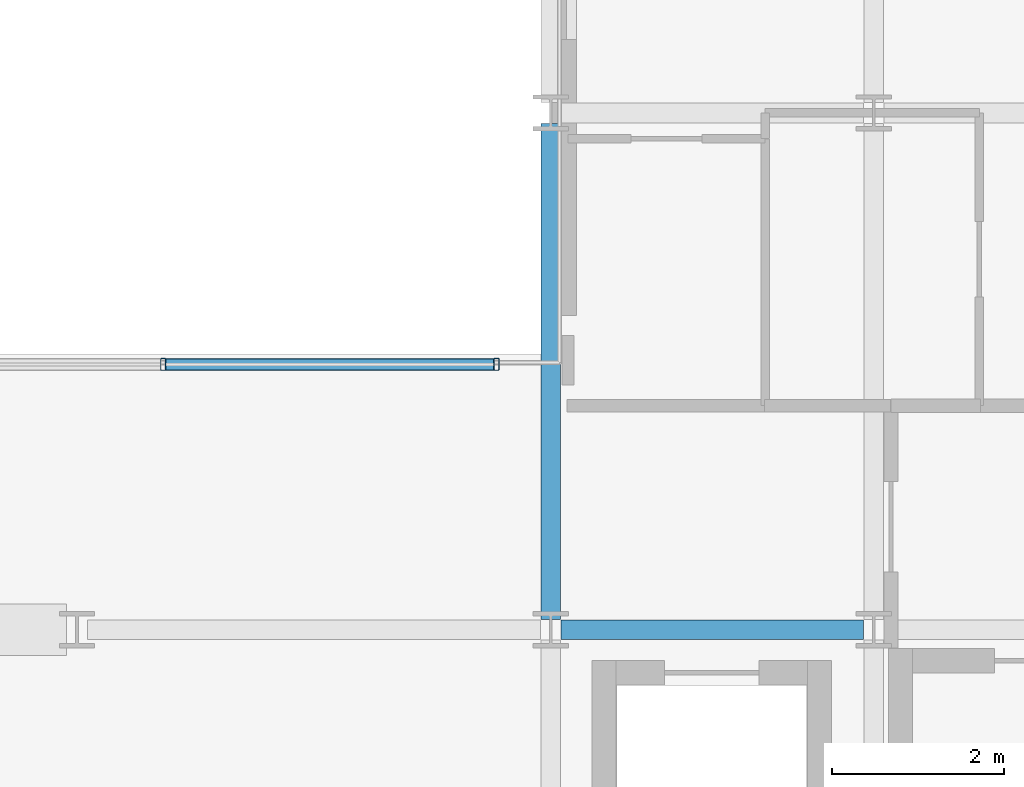
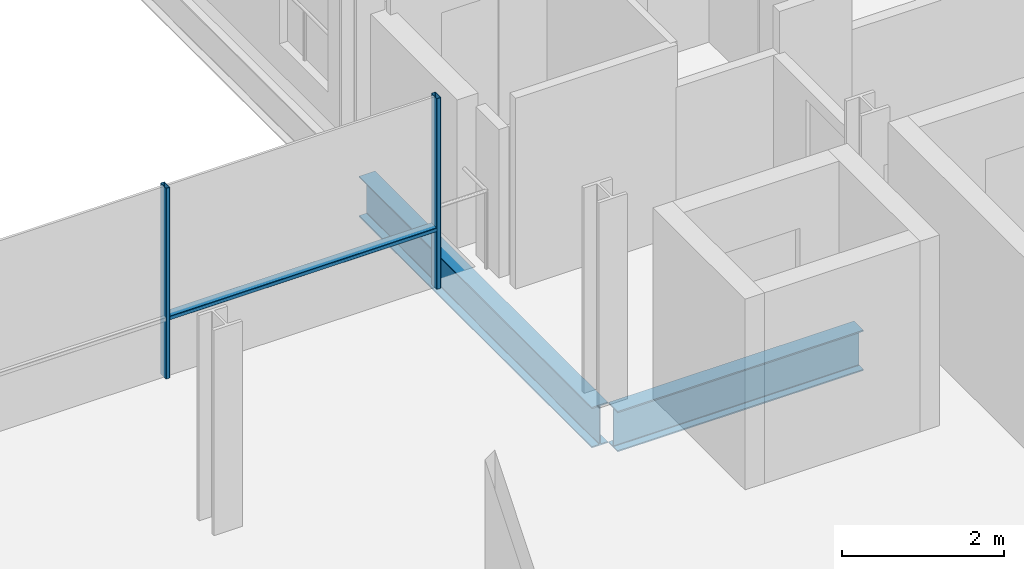
# One storey, part 13 of 41: 3 members, 2 beams, 1 element without a shape of its own.
"""IFC4 building model written with IfcOpenShell, lengths in metres."""

from ifc_helpers import new_model, si_unit, direction, frame, origin, origin_2d, place, context, subcontext, project, spatial, hollow_rectangle, i_section, extrude, material, layer, layer_set, material_profile, profile_set, type_object, element, aggregate, save


model = new_model("IFC4")

# Units and contexts
model_context = context("Model", 3, precision=1e-05, world=origin(), true_north=direction((0.0, 1.0)))
body_context = subcontext(model_context, "Body", "Model", "MODEL_VIEW")
ifc_project = project(units=[si_unit("LENGTHUNIT", "METRE"), si_unit("AREAUNIT", "SQUARE_METRE"), si_unit("VOLUMEUNIT", "CUBIC_METRE"), si_unit("PLANEANGLEUNIT", "RADIAN"), si_unit("MASSUNIT", "GRAM", prefix="KILO")], contexts=[model_context])

# Site, building, storey
site_placement = place(None, origin())
site = spatial("IfcSite", under=ifc_project, at=site_placement, CompositionType="ELEMENT")
building_placement = place(site_placement, origin())
building = spatial("IfcBuilding", under=site, at=building_placement, Name="Brevholm Reach", CompositionType="ELEMENT")
storey_placement = place(building_placement, frame((0.0, 0.0, 100.39990234375)))
storey = spatial("IfcBuildingStorey", under=building, at=storey_placement, Name="L29", CompositionType="ELEMENT", Elevation=100.39990234375)

# Beams
ifc_material_1 = material(Name="Structural Steel S355J2", Category="steel")
ifc_material_profile_1 = material_profile(ifc_material_1, i_section(OverallWidth=0.22900390625, OverallDepth=0.6123046875, WebThickness=0.011962890625, FlangeThickness=0.01953125, FilletRadius=0.0126953125, at=origin_2d()), Name="UKB 610x229x125")
ifc_profile_set_1 = profile_set([ifc_material_profile_1], Name="Structural Steel S355J2")
beam_type = type_object("IfcBeamType", Name="BM-SP610", PredefinedType="SPANDREL", material=ifc_profile_set_1)
beam_1_placement = place(storey_placement, frame((38.3701171875, 10.0, -0.526123046875), z_axis=(1.0, 0.0, 0.0), x_axis=(0.0, 1.0, 0.0)))
element("IfcBeam", 1, at=beam_1_placement, inside=storey, type_object=beam_type, Name="L29 SP-01 Framing Beam", PredefinedType="SPANDREL", context=body_context, shape_type="SweptSolid", body=[
    extrude(i_section(OverallWidth=0.22900390625, OverallDepth=0.6123046875, WebThickness=0.011962890625, FlangeThickness=0.01953125, FilletRadius=0.0126953125, at=origin_2d()), origin(), (0.0, 0.0, 1.0), 3.509765625),
])
beam_2_placement = place(storey_placement, frame((38.25, 10.1201171875, -0.526123046875), z_axis=(0.0, 1.0, 0.0), x_axis=(-1.0, 0.0, 0.0)))
element("IfcBeam", 2, at=beam_2_placement, inside=storey, type_object=beam_type, Name="L29 SP-01 Framing Beam", PredefinedType="SPANDREL", context=body_context, shape_type="SweptSolid", body=[
    extrude(i_section(OverallWidth=0.22900390625, OverallDepth=0.6123046875, WebThickness=0.011962890625, FlangeThickness=0.01953125, FilletRadius=0.0126953125, at=origin_2d()), origin(), (0.0, 0.0, 1.0), 5.759765625),
])

# Curtain wall, members
ifc_material_2 = material(Name="Dark Anodised Aluminium 6063-T6 and Solar-Control Glass", Category="aluminium")
ifc_layer = layer(ifc_material_2, 0.139892578125)
ifc_layer_set = layer_set([ifc_layer], Name="Dark Anodised Aluminium 6063-T6 and Solar-Control Glass")
curtain_wall_type = type_object("IfcCurtainWallType", Name="CW-02", PredefinedType="NOTDEFINED", material=ifc_layer_set)
curtain_wall_placement = place(storey_placement, origin())
curtain_wall = element("IfcCurtainWall", 3, at=curtain_wall_placement, inside=storey, type_object=curtain_wall_type, Name="L29 Curtain Wall CW-02", PredefinedType="NOTDEFINED")
ifc_material_3 = material(Name="Dark Anodised Aluminium 6063-T6", Category="aluminium")
ifc_material_profile_2 = material_profile(ifc_material_3, hollow_rectangle(XDim=0.06005859375, YDim=0.139892578125, WallThickness=0.0048828125, InnerFilletRadius=0.0048828125, OuterFilletRadius=0.010009765625, at=origin_2d()), Name="RHS 140x60x5")
ifc_profile_set_2 = profile_set([ifc_material_profile_2], Name="Dark Anodised Aluminium 6063-T6")
member_type_1 = type_object("IfcMemberType", Name="CWM-140", PredefinedType="MULLION", material=ifc_profile_set_2)
member_1_placement = place(storey_placement, frame((33.75, 13.080078125, 0.0), z_axis=(0.0, 0.0, 1.0), x_axis=(1.0, 0.0, 0.0)))
member_1 = element("IfcMember", 4, at=member_1_placement, type_object=member_type_1, Name="CM-140 Mullion 4", PredefinedType="MULLION", context=body_context, shape_type="SweptSolid", body=[
    extrude(hollow_rectangle(XDim=0.06005859375, YDim=0.139892578125, WallThickness=0.0048828125, InnerFilletRadius=0.0048828125, OuterFilletRadius=0.010009765625, at=origin_2d()), origin(), (0.0, 0.0, 1.0), 2.880126953125),
])
member_2_placement = place(storey_placement, frame((37.6201171875, 13.080078125, 0.0), z_axis=(0.0, 0.0, 1.0), x_axis=(1.0, 0.0, 0.0)))
member_2 = element("IfcMember", 5, at=member_2_placement, type_object=member_type_1, Name="CM-140 Mullion 5", PredefinedType="MULLION", context=body_context, shape_type="SweptSolid", body=[
    extrude(hollow_rectangle(XDim=0.06005859375, YDim=0.139892578125, WallThickness=0.0048828125, InnerFilletRadius=0.0048828125, OuterFilletRadius=0.010009765625, at=origin_2d()), origin(), (0.0, 0.0, 1.0), 2.880126953125),
])
ifc_material_4 = material(Name="Dark Anodised Aluminium 6063-T6", Category="aluminium")
ifc_material_profile_3 = material_profile(ifc_material_4, hollow_rectangle(XDim=0.06005859375, YDim=0.139892578125, WallThickness=0.0048828125, InnerFilletRadius=0.0048828125, OuterFilletRadius=0.010009765625, at=origin_2d()), Name="RHS 140x60x5")
ifc_profile_set_3 = profile_set([ifc_material_profile_3], Name="Dark Anodised Aluminium 6063-T6")
member_type_2 = type_object("IfcMemberType", Name="CWT-140", PredefinedType="NOTDEFINED", material=ifc_profile_set_3)
member_3_placement = place(storey_placement, frame((33.780029296875, 13.080078125, 0.900146484375), z_axis=(1.0, 0.0, 0.0), x_axis=(0.0, 0.0, 1.0)))
member_3 = element("IfcMember", 6, at=member_3_placement, type_object=member_type_2, Name="CT-140 Transom 4.1", ObjectType="TRANSOM", PredefinedType="USERDEFINED", context=body_context, shape_type="SweptSolid", body=[
    extrude(hollow_rectangle(XDim=0.06005859375, YDim=0.139892578125, WallThickness=0.0048828125, InnerFilletRadius=0.0048828125, OuterFilletRadius=0.010009765625, at=origin_2d()), origin(), (0.0, 0.0, 1.0), 3.81005859375),
])
aggregate(curtain_wall, [member_1, member_2, member_3])

save(model, "model.ifc")
